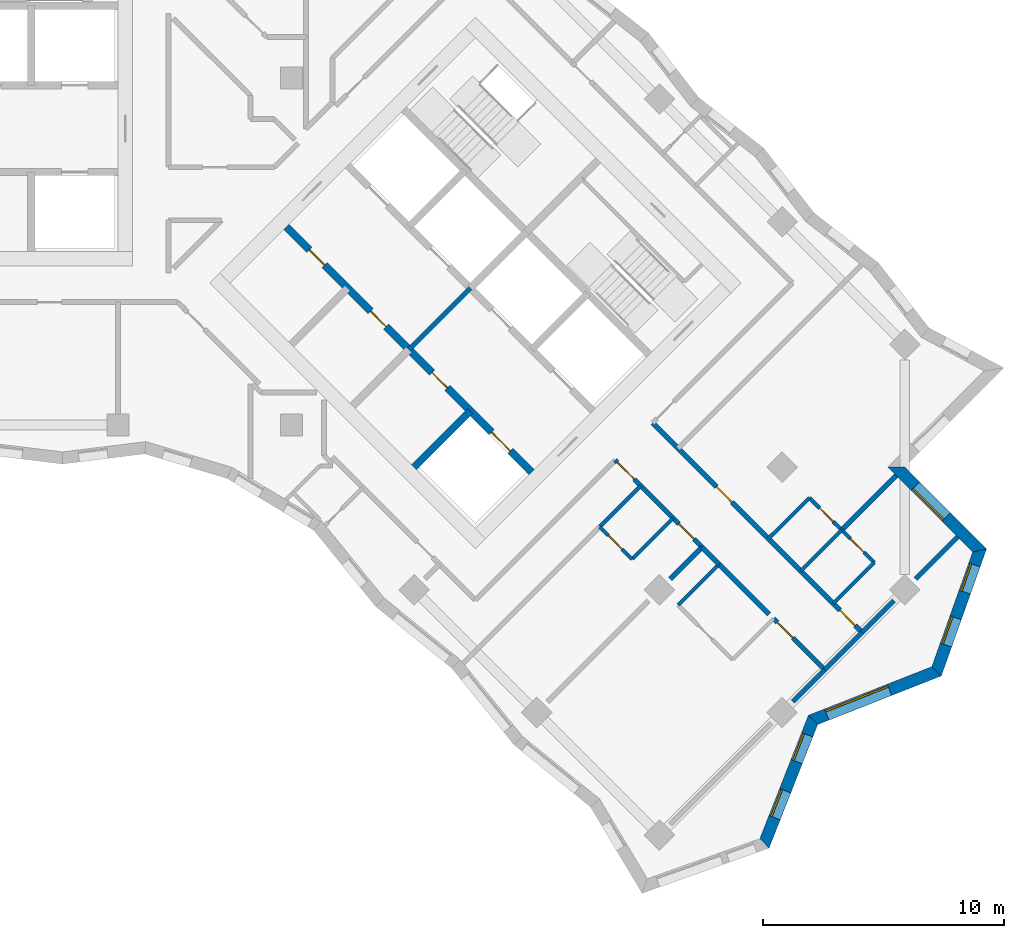
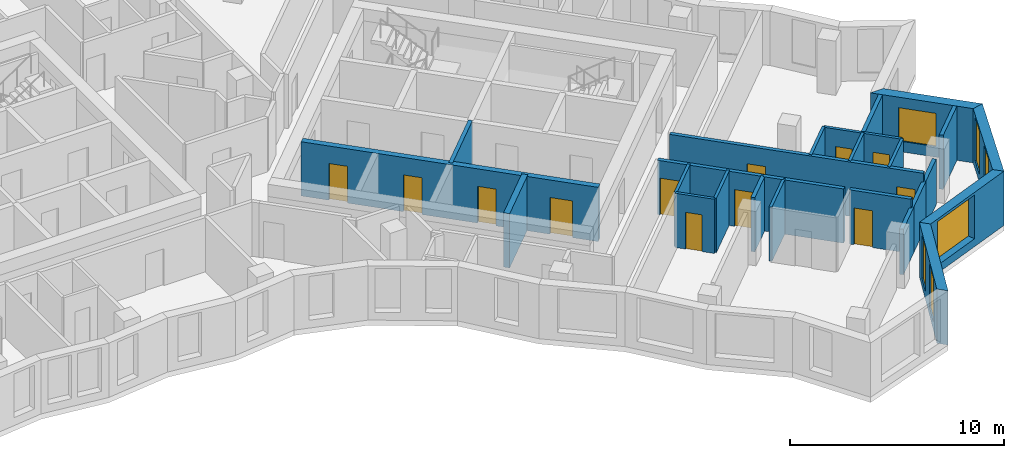
# One storey, part 8 of 12: 26 walls, 12 doors, 6 windows, 18 openings.
"""IFC4 building model written with IfcOpenShell, lengths in metres."""

import ifcopenshell
import ifcopenshell.guid

model = None  # the IFC model being written
_history = None  # IfcOwnerHistory: only IFC2X3 demands one
_inside = {}  # id of a spatial element -> (the spatial element, [elements in it])
_under = {}  # id of a project, library or spatial element -> (it, [spatial elements below it])
_declared = {}  # id of a project -> (the project, [libraries it declares])
_typed = {}  # id of a type object -> (the type object, [elements of that type])
_made_of = {}  # id of a material, layer set ... -> (it, [elements and type objects made of it])


def new_model(schema):
    """Start an empty IFC model of exactly this schema.

    Asked for "IFC4X3", IfcOpenShell would pick the latest addendum, in which some entities
    have other attributes; the version numbers below select the first issue.
    IFC2X3 requires an IfcOwnerHistory on every rooted entity: one is made here for all.
    """
    global model, _history
    if schema == "IFC4X3":
        model = ifcopenshell.file(schema_version=(4, 3, 0, 0))
    else:
        model = ifcopenshell.file(schema=schema)
    _inside.clear()
    _under.clear()
    _declared.clear()
    _typed.clear()
    _made_of.clear()
    _history = None
    if model.schema == "IFC2X3":
        org = make("IfcOrganization", Name="unknown")
        user = make(
            "IfcPersonAndOrganization",
            ThePerson=make("IfcPerson", FamilyName="unknown"),
            TheOrganization=org,
        )
        app = make(
            "IfcApplication",
            ApplicationDeveloper=org,
            Version="unknown",
            ApplicationFullName="unknown",
            ApplicationIdentifier="unknown",
        )
        _history = make(
            "IfcOwnerHistory",
            OwningUser=user,
            OwningApplication=app,
            ChangeAction="ADDED",
            CreationDate=0,
        )
    return model


def make(cls, **values):
    """One entity of the class cls with the attributes given. An attribute that is None is left unset."""
    return model.create_entity(
        cls, **{name: value for name, value in values.items() if value is not None}
    )


def rooted(cls, **values):
    """An entity with a GlobalId (a new one), such as an element, a storey or a relation."""
    return make(cls, GlobalId=ifcopenshell.guid.new(), OwnerHistory=_history, **values)


def si_unit(unit_type, name, prefix=None):
    """IfcSIUnit, for example si_unit("LENGTHUNIT", "METRE", prefix="MILLI")."""
    return make("IfcSIUnit", UnitType=unit_type, Prefix=prefix, Name=name)


def assignment(units):
    """IfcUnitAssignment: the units of a project."""
    return None if units is None else make("IfcUnitAssignment", Units=units)


def point(xyz):
    """IfcCartesianPoint."""
    return None if xyz is None else make("IfcCartesianPoint", Coordinates=xyz)


def direction(xyz):
    """IfcDirection."""
    return None if xyz is None else make("IfcDirection", DirectionRatios=xyz)


def frame(location, z_axis=None, x_axis=None):
    """IfcAxis2Placement3D, a coordinate frame: its origin and axes. An axis left out is left unset."""
    return make(
        "IfcAxis2Placement3D",
        Location=point(location),
        Axis=direction(z_axis),
        RefDirection=direction(x_axis),
    )


def frame_2d(location, x_axis=None):
    """IfcAxis2Placement2D, a coordinate frame in the plane: its origin and x axis."""
    return make(
        "IfcAxis2Placement2D", Location=point(location), RefDirection=direction(x_axis)
    )


def origin():
    """The frame at (0, 0, 0) with its axes left unset."""
    return frame((0.0, 0.0, 0.0))


def place(relative_to, where):
    """IfcLocalPlacement: puts the frame where relative to a parent placement (None: the world)."""
    return make(
        "IfcLocalPlacement", PlacementRelTo=relative_to, RelativePlacement=where
    )


def context(
    kind, dimensions, precision=None, world=None, true_north=None, identifier=None
):
    """IfcGeometricRepresentationContext, for example the 3D "Model" context."""
    return make(
        "IfcGeometricRepresentationContext",
        ContextIdentifier=identifier,
        ContextType=kind,
        CoordinateSpaceDimension=dimensions,
        Precision=precision,
        WorldCoordinateSystem=world,
        TrueNorth=true_north,
    )


def subcontext(parent, identifier, kind, view, scale=None):
    """IfcGeometricRepresentationSubContext, for example "Body" below "Model"."""
    return make(
        "IfcGeometricRepresentationSubContext",
        ContextIdentifier=identifier,
        ContextType=kind,
        ParentContext=parent,
        TargetScale=scale,
        TargetView=view,
    )


def project(units=None, contexts=None):
    """IfcProject with its units and contexts."""
    return rooted(
        "IfcProject",
        Name="project",
        RepresentationContexts=contexts,
        UnitsInContext=assignment(units),
    )


def spatial(cls, under=None, at=None, **own):
    """A site, building, storey or space (cls), placed at a placement, below another one or the project."""
    s = rooted(cls, ObjectPlacement=at, **own)
    if under is not None:
        _under.setdefault(under.id(), (under, []))[1].append(s)
    return s


def polyline(points):
    """IfcPolyline through the points."""
    return make("IfcPolyline", Points=[point(p) for p in points])


def profile(cls, at=None, kind="AREA", **sizes):
    """A parametric profile (cls). Its sizes go by their IFC names, for example OverallWidth=200.0."""
    return make(cls, ProfileType=kind, Position=at, **sizes)


def rectangle(**sizes):
    """IfcRectangleProfileDef."""
    return profile("IfcRectangleProfileDef", **sizes)


def outline(outer, holes=None, kind="AREA"):
    """IfcArbitraryClosedProfileDef: a profile drawn as a closed curve; with holes, ...WithVoids."""
    if holes is None:
        return make("IfcArbitraryClosedProfileDef", ProfileType=kind, OuterCurve=outer)
    return make(
        "IfcArbitraryProfileDefWithVoids",
        ProfileType=kind,
        OuterCurve=outer,
        InnerCurves=holes,
    )


def extrude(swept, where, along, depth):
    """IfcExtrudedAreaSolid: the profile swept, set in the frame where, extruded along a direction by depth."""
    return make(
        "IfcExtrudedAreaSolid",
        SweptArea=swept,
        Position=where,
        ExtrudedDirection=direction(along),
        Depth=depth,
    )


def shape(context_of_items, identifier, shape_type, items):
    """IfcShapeRepresentation: the items that make up one representation, for example the "Body"."""
    return make(
        "IfcShapeRepresentation",
        ContextOfItems=context_of_items,
        RepresentationIdentifier=identifier,
        RepresentationType=shape_type,
        Items=items,
    )


def material(Name=None, Category=None):
    """IfcMaterial."""
    return make("IfcMaterial", Name=Name, Category=Category)


def layer(
    of_material, thickness, ventilated=None, Name=None, Category=None, Priority=None
):
    """IfcMaterialLayer: one layer of a wall or slab, of a material (None: an air gap)."""
    return make(
        "IfcMaterialLayer",
        Material=of_material,
        LayerThickness=thickness,
        IsVentilated=ventilated,
        Name=Name,
        Category=Category,
        Priority=Priority,
    )


def layer_set(layers, Name=None):
    """IfcMaterialLayerSet."""
    return make("IfcMaterialLayerSet", MaterialLayers=layers, LayerSetName=Name)


def made_of(thing, what):
    """Note that an element or type object is made of a material, layer set ...; save() writes the relation."""
    if what is not None:
        _made_of.setdefault(what.id(), (what, []))[1].append(thing)
    return thing


def type_object(cls, material=None, **own):
    """A type object (cls), such as IfcWallType, which elements share."""
    return made_of(rooted(cls, **own), material)


def element(
    cls,
    number,
    at=None,
    inside=None,
    cuts=None,
    type_object=None,
    material=None,
    context=None,
    identifier="Body",
    shape_type=None,
    held_by="IfcProductDefinitionShape",
    body=None,
    shapes=None,
    **own,
):
    """One element of the class cls, such as IfcWall. Its Tag is "e" and its number.

    at: its placement. inside: the storey or other place that contains it. cuts: it is an
    opening in that element (IfcRelVoidsElement). A single representation is given by context,
    identifier, shape_type and body (its items); several are given by shapes. held_by: the class
    of the entity that holds the representations. save() writes the other relations.
    """
    e = rooted(cls, Tag="e%d" % number, ObjectPlacement=at, **own)
    if body is not None:
        shapes = [shape(context, identifier, shape_type, body)]
    if shapes is not None:
        e.Representation = make(held_by, Representations=shapes)
    if inside is not None:
        _inside.setdefault(inside.id(), (inside, []))[1].append(e)
    if cuts is not None:
        rooted(
            "IfcRelVoidsElement", RelatingBuildingElement=cuts, RelatedOpeningElement=e
        )
    if type_object is not None:
        _typed.setdefault(type_object.id(), (type_object, []))[1].append(e)
    return made_of(e, material)


def fill(opening, filler):
    """IfcRelFillsElement: the door or window that sits in an opening."""
    return rooted(
        "IfcRelFillsElement",
        RelatingOpeningElement=opening,
        RelatedBuildingElement=filler,
    )


def aggregate(whole, parts):
    """IfcRelAggregates: a whole, such as a stair, and the parts it consists of."""
    return rooted("IfcRelAggregates", RelatingObject=whole, RelatedObjects=parts)


def save(model, path):
    """Write the relations noted so far, then the file.

    IfcRelAggregates (storeys below a building ...), IfcRelContainedInSpatialStructure (elements
    in a storey), IfcRelDefinesByType, IfcRelAssociatesMaterial and IfcRelDeclares: one each for
    every whole, place, type object, material and project.
    """
    for whole, parts in _under.values():
        aggregate(whole, parts)
    for where, things in _inside.values():
        rooted(
            "IfcRelContainedInSpatialStructure",
            RelatedElements=things,
            RelatingStructure=where,
        )
    for kind, things in _typed.values():
        rooted("IfcRelDefinesByType", RelatedObjects=things, RelatingType=kind)
    for what, things in _made_of.values():
        rooted("IfcRelAssociatesMaterial", RelatedObjects=things, RelatingMaterial=what)
    for by, libraries in _declared.values():
        rooted("IfcRelDeclares", RelatingContext=by, RelatedDefinitions=libraries)
    model.write(path)


model = new_model("IFC4")

# Units and contexts
model_context = context("Model", 3, precision=1e-05, world=origin(), true_north=direction((0.0, 1.0)))
body_context = subcontext(model_context, "Body", "Model", "MODEL_VIEW")
ifc_project = project(units=[si_unit("LENGTHUNIT", "METRE"), si_unit("AREAUNIT", "SQUARE_METRE"), si_unit("VOLUMEUNIT", "CUBIC_METRE"), si_unit("PLANEANGLEUNIT", "RADIAN"), si_unit("MASSUNIT", "GRAM", prefix="KILO")], contexts=[model_context])

# Site, building, storey
site_placement = place(None, origin())
site = spatial("IfcSite", under=ifc_project, at=site_placement, CompositionType="ELEMENT")
building_placement = place(site_placement, origin())
building = spatial("IfcBuilding", under=site, at=building_placement, Name="Windrow Commons", CompositionType="ELEMENT")
storey_placement = place(building_placement, frame((0.0, 0.0, 149.0)))
storey = spatial("IfcBuildingStorey", under=building, at=storey_placement, Name="L40", CompositionType="ELEMENT", Elevation=149.0)

# Wall, openings, windows
ifc_material_1 = material(Name="Brick masonry, red clay brick", Category="masonry")
ifc_layer_1 = layer(ifc_material_1, 0.5)
ifc_layer_set_1 = layer_set([ifc_layer_1], Name="Brick facade wall 500")
wall_type_1 = type_object("IfcWallType", Name="Brick facade wall 500", PredefinedType="SOLIDWALL", material=ifc_layer_set_1)
wall_1_placement = place(storey_placement, frame((98.8322, 25.8354, 0.0), z_axis=(0.0, 0.0, 1.0), x_axis=(0.3662139942, 0.9305306607, 0.0)))
wall_1 = element("IfcWall", 1, at=wall_1_placement, inside=storey, type_object=wall_type_1, Name="Brick facade wall L40 2", PredefinedType="SOLIDWALL", context=body_context, shape_type="SweptSolid", body=[
    extrude(outline(polyline([(-0.1137, -0.25), (5.3995, -0.25), (5.6171, 0.25), (0.1137, 0.25), (-0.1137, -0.25)])), origin(), (0.0, 0.0, 1.0), 3.1),
])
opening_1_placement = place(wall_1_placement, frame((1.1498, 0.0, 0.45)))
opening_1 = element("IfcOpeningElement", 2, at=opening_1_placement, cuts=wall_1, Name="Opening W7E", PredefinedType="OPENING", context=body_context, shape_type="SweptSolid", body=[
    extrude(rectangle(XDim=1.2, YDim=2.5, at=frame_2d((0.6, 1.25))), frame((0.0, 0.26, 0.0), z_axis=(0.0, -1.0, 0.0), x_axis=(1.0, 0.0, 0.0)), (0.0, 0.0, 1.0), 0.52),
])
opening_2_placement = place(wall_1_placement, frame((3.6471, 0.0, 0.45)))
opening_2 = element("IfcOpeningElement", 3, at=opening_2_placement, cuts=wall_1, Name="Opening W7E", PredefinedType="OPENING", context=body_context, shape_type="SweptSolid", body=[
    extrude(rectangle(XDim=1.2, YDim=2.5, at=frame_2d((0.6, 1.25))), frame((0.0, 0.26, 0.0), z_axis=(0.0, -1.0, 0.0), x_axis=(1.0, 0.0, 0.0)), (0.0, 0.0, 1.0), 0.52),
])
ifc_material_2 = material(Name="Clear float glass in anodised aluminium frame", Category="aluminium")
window_type_1 = type_object("IfcWindowType", Name="Window W7 notch 1200x2500", PartitioningType="SINGLE_PANEL", PredefinedType="WINDOW", material=ifc_material_2)
window_1_placement = place(opening_1_placement, origin())
window_1 = element("IfcWindow", 4, at=window_1_placement, inside=storey, type_object=window_type_1, Name="Window L40 2.1", OverallHeight=2.5, OverallWidth=1.2, PartitioningType="SINGLE_PANEL", PredefinedType="WINDOW", context=body_context, shape_type="SweptSolid", body=[
    extrude(rectangle(XDim=1.2, YDim=2.5, at=frame_2d((0.6, 1.25))), frame((0.0, 0.18, 0.0), z_axis=(0.0, -1.0, 0.0), x_axis=(1.0, 0.0, 0.0)), (0.0, 0.0, 1.0), 0.06),
])
fill(opening_1, window_1)
window_2_placement = place(opening_2_placement, origin())
window_2 = element("IfcWindow", 5, at=window_2_placement, inside=storey, type_object=window_type_1, Name="Window L40 2.2", OverallHeight=2.5, OverallWidth=1.2, PartitioningType="SINGLE_PANEL", PredefinedType="WINDOW", context=body_context, shape_type="SweptSolid", body=[
    extrude(rectangle(XDim=1.2, YDim=2.5, at=frame_2d((0.6, 1.25))), frame((0.0, 0.18, 0.0), z_axis=(0.0, -1.0, 0.0), x_axis=(1.0, 0.0, 0.0)), (0.0, 0.0, 1.0), 0.06),
])
fill(opening_2, window_2)

# Wall, opening, window
wall_2_placement = place(storey_placement, frame((100.8494, 30.961, 0.0), z_axis=(0.0, 0.0, 1.0), x_axis=(0.9305330954, 0.3662078077, 0.0)))
wall_2 = element("IfcWall", 6, at=wall_2_placement, inside=storey, type_object=wall_type_1, Name="Brick facade wall L40 3", PredefinedType="SOLIDWALL", context=body_context, shape_type="SweptSolid", body=[
    extrude(outline(polyline([(0.1088, -0.25), (5.622, -0.25), (5.3946, 0.25), (-0.1088, 0.25), (0.1088, -0.25)])), origin(), (0.0, 0.0, 1.0), 3.1),
])
opening_3_placement = place(wall_2_placement, frame((0.6078, 0.0, 0.45)))
opening_3 = element("IfcOpeningElement", 7, at=opening_3_placement, cuts=wall_2, Name="Opening W1U", PredefinedType="OPENING", context=body_context, shape_type="SweptSolid", body=[
    extrude(rectangle(XDim=2.8, YDim=2.5, at=frame_2d((1.4, 1.25))), frame((0.0, 0.26, 0.0), z_axis=(0.0, -1.0, 0.0), x_axis=(1.0, 0.0, 0.0)), (0.0, 0.0, 1.0), 0.52),
])
ifc_material_3 = material(Name="Clear float glass in anodised aluminium frame", Category="aluminium")
window_type_2 = type_object("IfcWindowType", Name="Window W1U bedroom 2800x2500", PartitioningType="SINGLE_PANEL", PredefinedType="WINDOW", material=ifc_material_3)
window_3_placement = place(opening_3_placement, origin())
window_3 = element("IfcWindow", 8, at=window_3_placement, inside=storey, type_object=window_type_2, Name="Window L40 3.1", OverallHeight=2.5, OverallWidth=2.8, PartitioningType="SINGLE_PANEL", PredefinedType="WINDOW", context=body_context, shape_type="SweptSolid", body=[
    extrude(rectangle(XDim=2.8, YDim=2.5, at=frame_2d((1.4, 1.25))), frame((0.0, 0.18, 0.0), z_axis=(0.0, -1.0, 0.0), x_axis=(1.0, 0.0, 0.0)), (0.0, 0.0, 1.0), 0.06),
])
fill(opening_3, window_3)

# Wall, openings, windows
wall_3_placement = place(storey_placement, frame((105.9751, 32.9782, 0.0), z_axis=(0.0, 0.0, 1.0), x_axis=(0.3355165031, 0.9420343285, 0.0)))
wall_3 = element("IfcWall", 9, at=wall_3_placement, inside=storey, type_object=wall_type_1, Name="Brick facade wall L40 4", PredefinedType="SOLIDWALL", context=body_context, shape_type="SweptSolid", body=[
    extrude(outline(polyline([(-0.1137, -0.25), (5.4823, -0.25), (5.1662, 0.25), (0.1137, 0.25), (-0.1137, -0.25)])), origin(), (0.0, 0.0, 1.0), 3.1),
])
opening_4_placement = place(wall_3_placement, frame((1.1607, 0.0, 0.45)))
opening_4 = element("IfcOpeningElement", 10, at=opening_4_placement, cuts=wall_3, Name="Opening W7E", PredefinedType="OPENING", context=body_context, shape_type="SweptSolid", body=[
    extrude(rectangle(XDim=1.2, YDim=2.5, at=frame_2d((0.6, 1.25))), frame((0.0, 0.26, 0.0), z_axis=(0.0, -1.0, 0.0), x_axis=(1.0, 0.0, 0.0)), (0.0, 0.0, 1.0), 0.52),
])
opening_5_placement = place(wall_3_placement, frame((3.487, 0.0, 0.45)))
opening_5 = element("IfcOpeningElement", 11, at=opening_5_placement, cuts=wall_3, Name="Opening W7E", PredefinedType="OPENING", context=body_context, shape_type="SweptSolid", body=[
    extrude(rectangle(XDim=1.2, YDim=2.5, at=frame_2d((0.6, 1.25))), frame((0.0, 0.26, 0.0), z_axis=(0.0, -1.0, 0.0), x_axis=(1.0, 0.0, 0.0)), (0.0, 0.0, 1.0), 0.52),
])
window_4_placement = place(opening_4_placement, origin())
window_4 = element("IfcWindow", 12, at=window_4_placement, inside=storey, type_object=window_type_1, Name="Window L40 4.1", OverallHeight=2.5, OverallWidth=1.2, PartitioningType="SINGLE_PANEL", PredefinedType="WINDOW", context=body_context, shape_type="SweptSolid", body=[
    extrude(rectangle(XDim=1.2, YDim=2.5, at=frame_2d((0.6, 1.25))), frame((0.0, 0.18, 0.0), z_axis=(0.0, -1.0, 0.0), x_axis=(1.0, 0.0, 0.0)), (0.0, 0.0, 1.0), 0.06),
])
fill(opening_4, window_4)
window_5_placement = place(opening_5_placement, origin())
window_5 = element("IfcWindow", 13, at=window_5_placement, inside=storey, type_object=window_type_1, Name="Window L40 4.2", OverallHeight=2.5, OverallWidth=1.2, PartitioningType="SINGLE_PANEL", PredefinedType="WINDOW", context=body_context, shape_type="SweptSolid", body=[
    extrude(rectangle(XDim=1.2, YDim=2.5, at=frame_2d((0.6, 1.25))), frame((0.0, 0.18, 0.0), z_axis=(0.0, -1.0, 0.0), x_axis=(1.0, 0.0, 0.0)), (0.0, 0.0, 1.0), 0.06),
])
fill(opening_5, window_5)

# Wall, opening, window
wall_4_placement = place(storey_placement, frame((107.7615, 37.9939, 0.0), z_axis=(0.0, 0.0, 1.0), x_axis=(-0.7071272222, 0.7070863396, 0.0)))
wall_4 = element("IfcWall", 14, at=wall_4_placement, inside=storey, type_object=wall_type_1, Name="Brick facade wall L40 5", PredefinedType="SOLIDWALL", context=body_context, shape_type="SweptSolid", body=[
    extrude(outline(polyline([(-0.1581, -0.25), (4.642, -0.25), (5.142, 0.25), (0.1581, 0.25), (-0.1581, -0.25)])), origin(), (0.0, 0.0, 1.0), 3.1),
])
opening_6_placement = place(wall_4_placement, frame((1.967, 0.0, 0.6)))
opening_6 = element("IfcOpeningElement", 15, at=opening_6_placement, cuts=wall_4, Name="Opening W1L", PredefinedType="OPENING", context=body_context, shape_type="SweptSolid", body=[
    extrude(rectangle(XDim=1.8, YDim=1.9, at=frame_2d((0.9, 0.95))), frame((0.0, 0.26, 0.0), z_axis=(0.0, -1.0, 0.0), x_axis=(1.0, 0.0, 0.0)), (0.0, 0.0, 1.0), 0.52),
])
ifc_material_4 = material(Name="Clear float glass in anodised aluminium frame", Category="aluminium")
window_type_3 = type_object("IfcWindowType", Name="Window W1L bedroom 1800x1900", PartitioningType="SINGLE_PANEL", PredefinedType="WINDOW", material=ifc_material_4)
window_6_placement = place(opening_6_placement, origin())
window_6 = element("IfcWindow", 16, at=window_6_placement, inside=storey, type_object=window_type_3, Name="Window L40 5.1", OverallHeight=1.9, OverallWidth=1.8, PartitioningType="SINGLE_PANEL", PredefinedType="WINDOW", context=body_context, shape_type="SweptSolid", body=[
    extrude(rectangle(XDim=1.8, YDim=1.9, at=frame_2d((0.9, 0.95))), frame((0.0, 0.18, 0.0), z_axis=(0.0, -1.0, 0.0), x_axis=(1.0, 0.0, 0.0)), (0.0, 0.0, 1.0), 0.06),
])
fill(opening_6, window_6)

# Wall
ifc_material_5 = material(Name="Blockwork partition", Category="masonry")
ifc_layer_2 = layer(ifc_material_5, 0.2)
ifc_layer_set_2 = layer_set([ifc_layer_2], Name="Fire lobby partition 200")
wall_type_2 = type_object("IfcWallType", Name="Fire lobby partition 200", PredefinedType="PARTITIONING", material=ifc_layer_set_2)
wall_5_placement = place(storey_placement, frame((84.079, 46.332, 0.0), z_axis=(0.0, 0.0, 1.0), x_axis=(0.7071067812, 0.7071067812, 0.0)))
element("IfcWall", 17, at=wall_5_placement, inside=storey, type_object=wall_type_2, Name="W-core-lobby-B-L40", PredefinedType="PARTITIONING", context=body_context, shape_type="SweptSolid", body=[
    extrude(rectangle(XDim=3.6, YDim=0.2, at=frame_2d((1.8, 0.0))), origin(), (0.0, 0.0, 1.0), 3.1),
])

# Wall, openings, doors
ifc_material_6 = material(Name="Blockwork partition", Category="masonry")
ifc_layer_3 = layer(ifc_material_6, 0.2)
ifc_layer_set_3 = layer_set([ifc_layer_3], Name="IW-CORRIDOR-200")
wall_type_3 = type_object("IfcWallType", Name="IW-CORRIDOR-200", PredefinedType="PARTITIONING", material=ifc_layer_set_3)
wall_6_placement = place(storey_placement, frame((94.1889, 43.2869, 0.0), z_axis=(0.0, 0.0, 1.0), x_axis=(0.7071067812, -0.7071067812, 0.0)))
wall_6 = element("IfcWall", 18, at=wall_6_placement, inside=storey, type_object=wall_type_3, Name="W-L40-W005", PredefinedType="PARTITIONING", context=body_context, shape_type="SweptSolid", body=[
    extrude(rectangle(XDim=12.298, YDim=0.2, at=frame_2d((6.149, 0.0))), origin(), (0.0, 0.0, 1.0), 3.1),
])
opening_7_placement = place(wall_6_placement, frame((3.7546, 0.0, 0.0)))
opening_7 = element("IfcOpeningElement", 19, at=opening_7_placement, cuts=wall_6, Name="Opening D109F", PredefinedType="OPENING", context=body_context, shape_type="SweptSolid", body=[
    extrude(rectangle(XDim=0.9, YDim=2.1, at=frame_2d((0.45, 1.05))), frame((0.0, 0.11, 0.0), z_axis=(0.0, -1.0, 0.0), x_axis=(1.0, 0.0, 0.0)), (0.0, 0.0, 1.0), 0.22),
])
opening_8_placement = place(wall_6_placement, frame((10.998, 0.0, 0.0)))
opening_8 = element("IfcOpeningElement", 20, at=opening_8_placement, cuts=wall_6, Name="Opening D109S", PredefinedType="OPENING", context=body_context, shape_type="SweptSolid", body=[
    extrude(rectangle(XDim=0.9, YDim=2.1, at=frame_2d((0.45, 1.05))), frame((0.0, 0.11, 0.0), z_axis=(0.0, -1.0, 0.0), x_axis=(1.0, 0.0, 0.0)), (0.0, 0.0, 1.0), 0.22),
])
ifc_material_7 = material(Name="Timber door leaf", Category="wood")
door_type_1 = type_object("IfcDoorType", Name="DT-BEDROOM-900", OperationType="SINGLE_SWING_LEFT", PredefinedType="DOOR", material=ifc_material_7)
door_1_placement = place(opening_7_placement, origin())
door_1 = element("IfcDoor", 21, at=door_1_placement, inside=storey, type_object=door_type_1, Name="D-L40-D042", OperationType="SINGLE_SWING_RIGHT", OverallHeight=2.1, OverallWidth=0.9, PredefinedType="DOOR", context=body_context, shape_type="SweptSolid", body=[
    extrude(rectangle(XDim=0.9, YDim=2.1, at=frame_2d((0.45, 1.05))), frame((0.0, 0.025, 0.0), z_axis=(0.0, -1.0, 0.0), x_axis=(1.0, 0.0, 0.0)), (0.0, 0.0, 1.0), 0.05),
])
fill(opening_7, door_1)
door_2_placement = place(opening_8_placement, origin())
door_2 = element("IfcDoor", 22, at=door_2_placement, inside=storey, type_object=door_type_1, Name="D-L40-D053", OperationType="SINGLE_SWING_RIGHT", OverallHeight=2.1, OverallWidth=0.9, PredefinedType="DOOR", context=body_context, shape_type="SweptSolid", body=[
    extrude(rectangle(XDim=0.9, YDim=2.1, at=frame_2d((0.45, 1.05))), frame((0.0, 0.025, 0.0), z_axis=(0.0, -1.0, 0.0), x_axis=(1.0, 0.0, 0.0)), (0.0, 0.0, 1.0), 0.05),
])
fill(opening_8, door_2)

wall_7_placement = place(storey_placement, frame((92.6393, 41.7393, 0.0), z_axis=(0.0, 0.0, 1.0), x_axis=(0.7071067812, -0.7071067812, 0.0)))
wall_7 = element("IfcWall", 23, at=wall_7_placement, inside=storey, type_object=wall_type_3, Name="W-L40-W038", PredefinedType="PARTITIONING", context=body_context, shape_type="SweptSolid", body=[
    extrude(rectangle(XDim=5.0997, YDim=0.2, at=frame_2d((2.5499, 0.0))), origin(), (0.0, 0.0, 1.0), 3.1),
])
opening_9_placement = place(wall_7_placement, frame((0.1234, 0.0, 0.0)))
opening_9 = element("IfcOpeningElement", 24, at=opening_9_placement, cuts=wall_7, Name="Opening D310F", PredefinedType="OPENING", context=body_context, shape_type="SweptSolid", body=[
    extrude(rectangle(XDim=1.0, YDim=2.1, at=frame_2d((0.5, 1.05))), frame((0.0, 0.11, 0.0), z_axis=(0.0, -1.0, 0.0), x_axis=(1.0, 0.0, 0.0)), (0.0, 0.0, 1.0), 0.22),
])
opening_10_placement = place(wall_7_placement, frame((3.7344, 0.0, 0.0)))
opening_10 = element("IfcOpeningElement", 25, at=opening_10_placement, cuts=wall_7, Name="Opening D109S", PredefinedType="OPENING", context=body_context, shape_type="SweptSolid", body=[
    extrude(rectangle(XDim=0.9, YDim=2.1, at=frame_2d((0.45, 1.05))), frame((0.0, 0.11, 0.0), z_axis=(0.0, -1.0, 0.0), x_axis=(1.0, 0.0, 0.0)), (0.0, 0.0, 1.0), 0.22),
])
ifc_material_8 = material(Name="Timber door leaf", Category="wood")
door_type_2 = type_object("IfcDoorType", Name="DT-AMENITY-1000", OperationType="SINGLE_SWING_LEFT", PredefinedType="DOOR", material=ifc_material_8)
door_3_placement = place(opening_9_placement, origin())
door_3 = element("IfcDoor", 26, at=door_3_placement, inside=storey, type_object=door_type_2, Name="D-L40-D048", OperationType="SINGLE_SWING_RIGHT", OverallHeight=2.1, OverallWidth=1.0, PredefinedType="DOOR", context=body_context, shape_type="SweptSolid", body=[
    extrude(rectangle(XDim=1.0, YDim=2.1, at=frame_2d((0.5, 1.05))), frame((0.0, 0.025, 0.0), z_axis=(0.0, -1.0, 0.0), x_axis=(1.0, 0.0, 0.0)), (0.0, 0.0, 1.0), 0.05),
])
fill(opening_9, door_3)
door_4_placement = place(opening_10_placement, origin())
door_4 = element("IfcDoor", 27, at=door_4_placement, inside=storey, type_object=door_type_1, Name="D-L40-D049", OperationType="SINGLE_SWING_LEFT", OverallHeight=2.1, OverallWidth=0.9, PredefinedType="DOOR", context=body_context, shape_type="SweptSolid", body=[
    extrude(rectangle(XDim=0.9, YDim=2.1, at=frame_2d((0.45, 1.05))), frame((0.0, 0.025, 0.0), z_axis=(0.0, -1.0, 0.0), x_axis=(1.0, 0.0, 0.0)), (0.0, 0.0, 1.0), 0.05),
])
fill(opening_10, door_4)

# Wall, opening, door
wall_8_placement = place(storey_placement, frame((99.2143, 35.1623, 0.0), z_axis=(0.0, 0.0, 1.0), x_axis=(0.706773319, -0.7074400862, 0.0)))
wall_8 = element("IfcWall", 28, at=wall_8_placement, inside=storey, type_object=wall_type_3, Name="W-L40-W057", PredefinedType="PARTITIONING", context=body_context, shape_type="SweptSolid", body=[
    extrude(rectangle(XDim=2.9995, YDim=0.2, at=frame_2d((1.4997, 0.0))), origin(), (0.0, 0.0, 1.0), 3.1),
])
opening_11_placement = place(wall_8_placement, frame((0.2196, 0.0, 0.0)))
opening_11 = element("IfcOpeningElement", 29, at=opening_11_placement, cuts=wall_8, Name="Opening D109F", PredefinedType="OPENING", context=body_context, shape_type="SweptSolid", body=[
    extrude(rectangle(XDim=0.9, YDim=2.1, at=frame_2d((0.45, 1.05))), frame((0.0, 0.11, 0.0), z_axis=(0.0, -1.0, 0.0), x_axis=(1.0, 0.0, 0.0)), (0.0, 0.0, 1.0), 0.22),
])
door_5_placement = place(opening_11_placement, origin())
door_5 = element("IfcDoor", 30, at=door_5_placement, inside=storey, type_object=door_type_1, Name="D-L40-D051", OperationType="SINGLE_SWING_RIGHT", OverallHeight=2.1, OverallWidth=0.9, PredefinedType="DOOR", context=body_context, shape_type="SweptSolid", body=[
    extrude(rectangle(XDim=0.9, YDim=2.1, at=frame_2d((0.45, 1.05))), frame((0.0, 0.025, 0.0), z_axis=(0.0, -1.0, 0.0), x_axis=(1.0, 0.0, 0.0)), (0.0, 0.0, 1.0), 0.05),
])
fill(opening_11, door_5)

# Walls
wall_9_placement = place(storey_placement, frame((96.9452, 37.4192, 0.0), z_axis=(0.0, 0.0, 1.0), x_axis=(0.7071067812, -0.7071067812, 0.0)))
element("IfcWall", 31, at=wall_9_placement, inside=storey, type_object=wall_type_3, Name="W-L40-W058", PredefinedType="PARTITIONING", context=body_context, shape_type="SweptSolid", body=[
    extrude(rectangle(XDim=2.9274, YDim=0.2, at=frame_2d((1.4637, 0.0))), origin(), (0.0, 0.0, 1.0), 3.1),
])
wall_10_placement = place(storey_placement, frame((101.3312, 33.0388, 0.0), z_axis=(0.0, 0.0, 1.0), x_axis=(0.7071067812, 0.7071067812, 0.0)))
element("IfcWall", 32, at=wall_10_placement, inside=storey, type_object=wall_type_3, Name="W-L40-W107", PredefinedType="PARTITIONING", context=body_context, shape_type="SweptSolid", body=[
    extrude(rectangle(XDim=2.2005, YDim=0.2, at=frame_2d((1.1002, 0.0))), origin(), (0.0, 0.0, 1.0), 2.6),
])
wall_11_placement = place(storey_placement, frame((96.2396, 38.1276, 0.0), z_axis=(0.0, 0.0, 1.0), x_axis=(0.7061059238, -0.7081062239, 0.0)))
element("IfcWall", 33, at=wall_11_placement, inside=storey, type_object=wall_type_3, Name="W-L40-W154", PredefinedType="PARTITIONING", context=body_context, shape_type="SweptSolid", body=[
    extrude(rectangle(XDim=0.9998, YDim=0.2, at=frame_2d((0.4999, 0.0))), origin(), (0.0, 0.0, 1.0), 3.1),
])

# Wall, openings, doors
ifc_material_9 = material(Name="Blockwork partition", Category="masonry")
ifc_layer_4 = layer(ifc_material_9, 0.15)
ifc_layer_set_4 = layer_set([ifc_layer_4], Name="IW-ENSUITE-150")
wall_type_4 = type_object("IfcWallType", Name="IW-ENSUITE-150", PredefinedType="PARTITIONING", material=ifc_layer_set_4)
wall_12_placement = place(storey_placement, frame((100.6942, 40.1782, 0.0), z_axis=(0.0, 0.0, 1.0), x_axis=(0.7076329021, -0.7065802685, 0.0)))
wall_12 = element("IfcWall", 34, at=wall_12_placement, inside=storey, type_object=wall_type_4, Name="W-L40-W048", PredefinedType="PARTITIONING", context=body_context, shape_type="SweptSolid", body=[
    extrude(rectangle(XDim=3.8, YDim=0.15, at=frame_2d((1.9, 0.0))), origin(), (0.0, 0.0, 1.0), 3.1),
])
opening_12_placement = place(wall_12_placement, frame((0.5978, 0.0, 0.0)))
opening_12 = element("IfcOpeningElement", 35, at=opening_12_placement, cuts=wall_12, Name="Opening D208N", PredefinedType="OPENING", context=body_context, shape_type="SweptSolid", body=[
    extrude(rectangle(XDim=0.8, YDim=2.1, at=frame_2d((0.4, 1.05))), frame((0.0, 0.085, 0.0), z_axis=(0.0, -1.0, 0.0), x_axis=(1.0, 0.0, 0.0)), (0.0, 0.0, 1.0), 0.17),
])
opening_13_placement = place(wall_12_placement, frame((2.4048, 0.0, 0.0)))
opening_13 = element("IfcOpeningElement", 36, at=opening_13_placement, cuts=wall_12, Name="Opening D208N", PredefinedType="OPENING", context=body_context, shape_type="SweptSolid", body=[
    extrude(rectangle(XDim=0.8, YDim=2.1, at=frame_2d((0.4, 1.05))), frame((0.0, 0.085, 0.0), z_axis=(0.0, -1.0, 0.0), x_axis=(1.0, 0.0, 0.0)), (0.0, 0.0, 1.0), 0.17),
])
ifc_material_10 = material(Name="Timber door leaf", Category="wood")
door_type_3 = type_object("IfcDoorType", Name="DT-ENSUITE-800", OperationType="SINGLE_SWING_LEFT", PredefinedType="DOOR", material=ifc_material_10)
door_6_placement = place(opening_12_placement, origin())
door_6 = element("IfcDoor", 37, at=door_6_placement, inside=storey, type_object=door_type_3, Name="D-L40-D043", OperationType="SINGLE_SWING_RIGHT", OverallHeight=2.1, OverallWidth=0.8, PredefinedType="DOOR", context=body_context, shape_type="SweptSolid", body=[
    extrude(rectangle(XDim=0.8, YDim=2.1, at=frame_2d((0.4, 1.05))), frame((0.0, 0.025, 0.0), z_axis=(0.0, -1.0, 0.0), x_axis=(1.0, 0.0, 0.0)), (0.0, 0.0, 1.0), 0.05),
])
fill(opening_12, door_6)
door_7_placement = place(opening_13_placement, origin())
door_7 = element("IfcDoor", 38, at=door_7_placement, inside=storey, type_object=door_type_3, Name="D-L40-D054", OperationType="SINGLE_SWING_RIGHT", OverallHeight=2.1, OverallWidth=0.8, PredefinedType="DOOR", context=body_context, shape_type="SweptSolid", body=[
    extrude(rectangle(XDim=0.8, YDim=2.1, at=frame_2d((0.4, 1.05))), frame((0.0, 0.025, 0.0), z_axis=(0.0, -1.0, 0.0), x_axis=(1.0, 0.0, 0.0)), (0.0, 0.0, 1.0), 0.05),
])
fill(opening_13, door_7)

# Walls
for number, where, z_axis, x_axis, name in (
    (39, (93.3409, 37.6351, 0.0), (0.0, 0.0, 1.0), (0.7071067812, 0.7071067812, 0.0), "W-L40-W067"),
    (40, (101.6851, 35.7969, 0.0), (0.0, 0.0, 1.0), (0.7071067812, 0.7071067812, 0.0), "W-L40-W068"),
    (41, (91.9974, 38.9786, 0.0), (0.0, 0.0, 1.0), (0.7071067812, 0.7071067812, 0.0), "W-L40-W069"),
):
    element("IfcWall", number, at=place(storey_placement, frame(where, z_axis=z_axis, x_axis=x_axis)), inside=storey, type_object=wall_type_4, Name=name, PredefinedType="PARTITIONING", context=body_context, shape_type="SweptSolid", body=[
        extrude(rectangle(XDim=2.4013, YDim=0.15, at=frame_2d((1.2006, 0.0))), origin(), (0.0, 0.0, 1.0), 3.1),
    ])
for number, where, z_axis, x_axis, name in (
    (42, (100.3397, 37.1423, 0.0), (0.0, 0.0, 1.0), (0.7075233388, 0.706689978, 0.0), "W-L40-W094"),
    (43, (98.9962, 38.4858, 0.0), (0.0, 0.0, 1.0), (0.7075233388, 0.706689978, 0.0), "W-L40-W095"),
):
    element("IfcWall", number, at=place(storey_placement, frame(where, z_axis=z_axis, x_axis=x_axis)), inside=storey, type_object=wall_type_4, Name=name, PredefinedType="PARTITIONING", context=body_context, shape_type="SweptSolid", body=[
        extrude(rectangle(XDim=2.3999, YDim=0.15, at=frame_2d((1.2, 0.0))), origin(), (0.0, 0.0, 1.0), 3.1),
    ])
wall_13_placement = place(storey_placement, frame((95.2511, 35.7269, 0.0), z_axis=(0.0, 0.0, 1.0), x_axis=(0.7071067812, 0.7071067812, 0.0)))
element("IfcWall", 44, at=wall_13_placement, inside=storey, type_object=wall_type_4, Name="W-L40-W097", PredefinedType="PARTITIONING", context=body_context, shape_type="SweptSolid", body=[
    extrude(rectangle(XDim=2.3985, YDim=0.15, at=frame_2d((1.1992, 0.0))), origin(), (0.0, 0.0, 1.0), 3.1),
])

# Wall, opening, door
wall_14_placement = place(storey_placement, frame((91.9952, 38.9752, 0.0), z_axis=(0.0, 0.0, 1.0), x_axis=(0.7071067812, -0.7071067812, 0.0)))
wall_14 = element("IfcWall", 45, at=wall_14_placement, inside=storey, type_object=wall_type_4, Name="W-L40-W123", PredefinedType="PARTITIONING", context=body_context, shape_type="SweptSolid", body=[
    extrude(rectangle(XDim=1.9007, YDim=0.15, at=frame_2d((0.9504, 0.0))), origin(), (0.0, 0.0, 1.0), 3.1),
])
opening_14_placement = place(wall_14_placement, frame((0.5056, 0.0, 0.0)))
opening_14 = element("IfcOpeningElement", 46, at=opening_14_placement, cuts=wall_14, Name="Opening D208N", PredefinedType="OPENING", context=body_context, shape_type="SweptSolid", body=[
    extrude(rectangle(XDim=0.8, YDim=2.1, at=frame_2d((0.4, 1.05))), frame((0.0, 0.085, 0.0), z_axis=(0.0, -1.0, 0.0), x_axis=(1.0, 0.0, 0.0)), (0.0, 0.0, 1.0), 0.17),
])
door_8_placement = place(opening_14_placement, origin())
door_8 = element("IfcDoor", 47, at=door_8_placement, inside=storey, type_object=door_type_3, Name="D-L40-D050", OperationType="SINGLE_SWING_RIGHT", OverallHeight=2.1, OverallWidth=0.8, PredefinedType="DOOR", context=body_context, shape_type="SweptSolid", body=[
    extrude(rectangle(XDim=0.8, YDim=2.1, at=frame_2d((0.4, 1.05))), frame((0.0, 0.025, 0.0), z_axis=(0.0, -1.0, 0.0), x_axis=(1.0, 0.0, 0.0)), (0.0, 0.0, 1.0), 0.05),
])
fill(opening_14, door_8)

# Walls
ifc_material_11 = material(Name="Blockwork partition", Category="masonry")
ifc_layer_5 = layer(ifc_material_11, 0.2)
ifc_layer_set_5 = layer_set([ifc_layer_5], Name="IW-PARTY-200")
wall_type_5 = type_object("IfcWallType", Name="IW-PARTY-200", PredefinedType="PARTITIONING", material=ifc_layer_set_5)
wall_15_placement = place(storey_placement, frame((102.0396, 38.8384, 0.0), z_axis=(0.0, 0.0, 1.0), x_axis=(0.7071067812, 0.7071067812, 0.0)))
element("IfcWall", 48, at=wall_15_placement, inside=storey, type_object=wall_type_5, Name="W-L40-W054", PredefinedType="PARTITIONING", context=body_context, shape_type="SweptSolid", body=[
    extrude(rectangle(XDim=3.1987, YDim=0.2, at=frame_2d((1.5994, 0.0))), origin(), (0.0, 0.0, 1.0), 3.1),
])
wall_16_placement = place(storey_placement, frame((105.1052, 36.8128, 0.0), z_axis=(0.0, 0.0, 1.0), x_axis=(0.7071067812, 0.7071067812, 0.0)))
element("IfcWall", 49, at=wall_16_placement, inside=storey, type_object=wall_type_5, Name="W-L40-W065", PredefinedType="PARTITIONING", context=body_context, shape_type="SweptSolid", body=[
    extrude(rectangle(XDim=2.4634, YDim=0.2, at=frame_2d((1.2317, 0.0))), origin(), (0.0, 0.0, 1.0), 3.1),
])
wall_17_placement = place(storey_placement, frame((102.8872, 34.5948, 0.0), z_axis=(0.0, 0.0, 1.0), x_axis=(0.7071067812, 0.7071067812, 0.0)))
element("IfcWall", 50, at=wall_17_placement, inside=storey, type_object=wall_type_5, Name="W-L40-W133", PredefinedType="PARTITIONING", context=body_context, shape_type="SweptSolid", body=[
    extrude(rectangle(XDim=1.8639, YDim=0.2, at=frame_2d((0.9319, 0.0))), origin(), (0.0, 0.0, 1.0), 2.6),
])
wall_18_placement = place(storey_placement, frame((94.923, 36.813, 0.0), z_axis=(0.0, 0.0, 1.0), x_axis=(0.7071067812, 0.7071067812, 0.0)))
element("IfcWall", 51, at=wall_18_placement, inside=storey, type_object=wall_type_5, Name="W-L40-W134", PredefinedType="PARTITIONING", context=body_context, shape_type="SweptSolid", body=[
    extrude(rectangle(XDim=1.8639, YDim=0.2, at=frame_2d((0.9319, 0.0))), origin(), (0.0, 0.0, 1.0), 3.1),
])
wall_19_placement = place(storey_placement, frame((100.0132, 31.7208, 0.0), z_axis=(0.0, 0.0, 1.0), x_axis=(0.7071067812, 0.7071067812, 0.0)))
element("IfcWall", 52, at=wall_19_placement, inside=storey, type_object=wall_type_5, Name="W-L40-W135", PredefinedType="PARTITIONING", context=body_context, shape_type="SweptSolid", body=[
    extrude(rectangle(XDim=1.8639, YDim=0.2, at=frame_2d((0.9319, 0.0))), origin(), (0.0, 0.0, 1.0), 2.6),
])
ifc_material_12 = material(Name="Concrete C50/60", Category="concrete")
ifc_layer_6 = layer(ifc_material_12, 0.3)
ifc_layer_set_6 = layer_set([ifc_layer_6], Name="RC SHAFT WALL 300 C50/60")
wall_type_6 = type_object("IfcWallType", Name="RC SHAFT WALL 300 C50/60", PredefinedType="SOLIDWALL", material=ifc_layer_set_6)
wall_20_placement = place(storey_placement, frame((84.2912, 41.453, 0.0), z_axis=(0.0, 0.0, 1.0), x_axis=(0.7071067812, 0.7071067812, 0.0)))
element("IfcWall", 53, at=wall_20_placement, inside=storey, type_object=wall_type_6, Name="Core B wall shaft-S3", PredefinedType="SOLIDWALL", context=body_context, shape_type="SweptSolid", body=[
    extrude(rectangle(XDim=3.2999, YDim=0.3, at=frame_2d((1.65, 0.0))), origin(), (0.0, 0.0, 1.0), 3.1),
])

# Wall, openings, doors
wall_21_placement = place(storey_placement, frame((78.9879, 51.4232, 0.0), z_axis=(0.0, 0.0, 1.0), x_axis=(0.7071067812, -0.7071067812, 0.0)))
wall_21 = element("IfcWall", 54, at=wall_21_placement, inside=storey, type_object=wall_type_6, Name="Core B wall lobby-S", PredefinedType="SOLIDWALL", context=body_context, shape_type="SweptSolid", body=[
    extrude(rectangle(XDim=14.3999, YDim=0.3, at=frame_2d((7.2, 0.0))), origin(), (0.0, 0.0, 1.0), 3.1),
])
opening_15_placement = place(wall_21_placement, frame((1.35, 0.0, 0.0)))
opening_15 = element("IfcOpeningElement", 55, at=opening_15_placement, cuts=wall_21, Name="Opening D8", PredefinedType="OPENING", context=body_context, shape_type="SweptSolid", body=[
    extrude(rectangle(XDim=0.9, YDim=2.1, at=frame_2d((0.45, 1.05))), frame((0.0, 0.16, 0.0), z_axis=(0.0, -1.0, 0.0), x_axis=(1.0, 0.0, 0.0)), (0.0, 0.0, 1.0), 0.32),
])
opening_16_placement = place(wall_21_placement, frame((4.95, 0.0, 0.0)))
opening_16 = element("IfcOpeningElement", 56, at=opening_16_placement, cuts=wall_21, Name="Opening D8", PredefinedType="OPENING", context=body_context, shape_type="SweptSolid", body=[
    extrude(rectangle(XDim=0.9, YDim=2.1, at=frame_2d((0.45, 1.05))), frame((0.0, 0.16, 0.0), z_axis=(0.0, -1.0, 0.0), x_axis=(1.0, 0.0, 0.0)), (0.0, 0.0, 1.0), 0.32),
])
opening_17_placement = place(wall_21_placement, frame((8.55, 0.0, 0.0)))
opening_17 = element("IfcOpeningElement", 57, at=opening_17_placement, cuts=wall_21, Name="Opening D8", PredefinedType="OPENING", context=body_context, shape_type="SweptSolid", body=[
    extrude(rectangle(XDim=0.9, YDim=2.1, at=frame_2d((0.45, 1.05))), frame((0.0, 0.16, 0.0), z_axis=(0.0, -1.0, 0.0), x_axis=(1.0, 0.0, 0.0)), (0.0, 0.0, 1.0), 0.32),
])
opening_18_placement = place(wall_21_placement, frame((12.05, 0.0, 0.0)))
opening_18 = element("IfcOpeningElement", 58, at=opening_18_placement, cuts=wall_21, Name="Opening LD", PredefinedType="OPENING", context=body_context, shape_type="SweptSolid", body=[
    extrude(rectangle(XDim=1.1, YDim=2.1, at=frame_2d((0.55, 1.05))), frame((0.0, 0.16, 0.0), z_axis=(0.0, -1.0, 0.0), x_axis=(1.0, 0.0, 0.0)), (0.0, 0.0, 1.0), 0.32),
])
ifc_material_13 = material(Name="Steel fire door leaf", Category="steel")
door_type_4 = type_object("IfcDoorType", Name="Core store door 900", OperationType="SINGLE_SWING_LEFT", PredefinedType="DOOR", material=ifc_material_13)
door_9_placement = place(opening_15_placement, origin())
door_9 = element("IfcDoor", 59, at=door_9_placement, inside=storey, type_object=door_type_4, Name="Store door", OperationType="SINGLE_SWING_LEFT", OverallHeight=2.1, OverallWidth=0.9, PredefinedType="DOOR", context=body_context, shape_type="SweptSolid", body=[
    extrude(rectangle(XDim=0.9, YDim=2.1, at=frame_2d((0.45, 1.05))), frame((0.0, 0.025, 0.0), z_axis=(0.0, -1.0, 0.0), x_axis=(1.0, 0.0, 0.0)), (0.0, 0.0, 1.0), 0.05),
])
fill(opening_15, door_9)
door_10_placement = place(opening_16_placement, origin())
door_10 = element("IfcDoor", 60, at=door_10_placement, inside=storey, type_object=door_type_4, Name="Store door", OperationType="SINGLE_SWING_LEFT", OverallHeight=2.1, OverallWidth=0.9, PredefinedType="DOOR", context=body_context, shape_type="SweptSolid", body=[
    extrude(rectangle(XDim=0.9, YDim=2.1, at=frame_2d((0.45, 1.05))), frame((0.0, 0.025, 0.0), z_axis=(0.0, -1.0, 0.0), x_axis=(1.0, 0.0, 0.0)), (0.0, 0.0, 1.0), 0.05),
])
fill(opening_16, door_10)
door_11_placement = place(opening_17_placement, origin())
door_11 = element("IfcDoor", 61, at=door_11_placement, inside=storey, type_object=door_type_4, Name="Store door", OperationType="SINGLE_SWING_LEFT", OverallHeight=2.1, OverallWidth=0.9, PredefinedType="DOOR", context=body_context, shape_type="SweptSolid", body=[
    extrude(rectangle(XDim=0.9, YDim=2.1, at=frame_2d((0.45, 1.05))), frame((0.0, 0.025, 0.0), z_axis=(0.0, -1.0, 0.0), x_axis=(1.0, 0.0, 0.0)), (0.0, 0.0, 1.0), 0.05),
])
fill(opening_17, door_11)
ifc_material_14 = material(Name="Stainless steel door leaf", Category="steel")
door_type_5 = type_object("IfcDoorType", Name="Lift landing door 1100", OperationType="SLIDING_TO_LEFT", PredefinedType="DOOR", material=ifc_material_14)
door_12_placement = place(opening_18_placement, origin())
door_12 = element("IfcDoor", 62, at=door_12_placement, inside=storey, type_object=door_type_5, Name="Lift landing door", OperationType="SLIDING_TO_RIGHT", OverallHeight=2.1, OverallWidth=1.1, PredefinedType="DOOR", context=body_context, shape_type="SweptSolid", body=[
    extrude(rectangle(XDim=1.1, YDim=2.1, at=frame_2d((0.55, 1.05))), frame((0.0, 0.025, 0.0), z_axis=(0.0, -1.0, 0.0), x_axis=(1.0, 0.0, 0.0)), (0.0, 0.0, 1.0), 0.05),
])
fill(opening_18, door_12)

save(model, "model.ifc")
